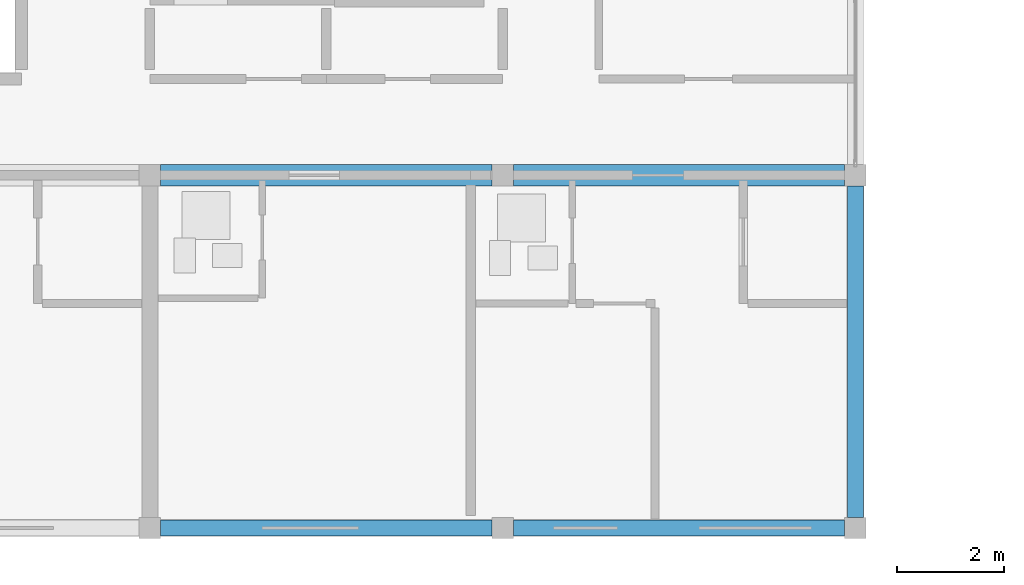
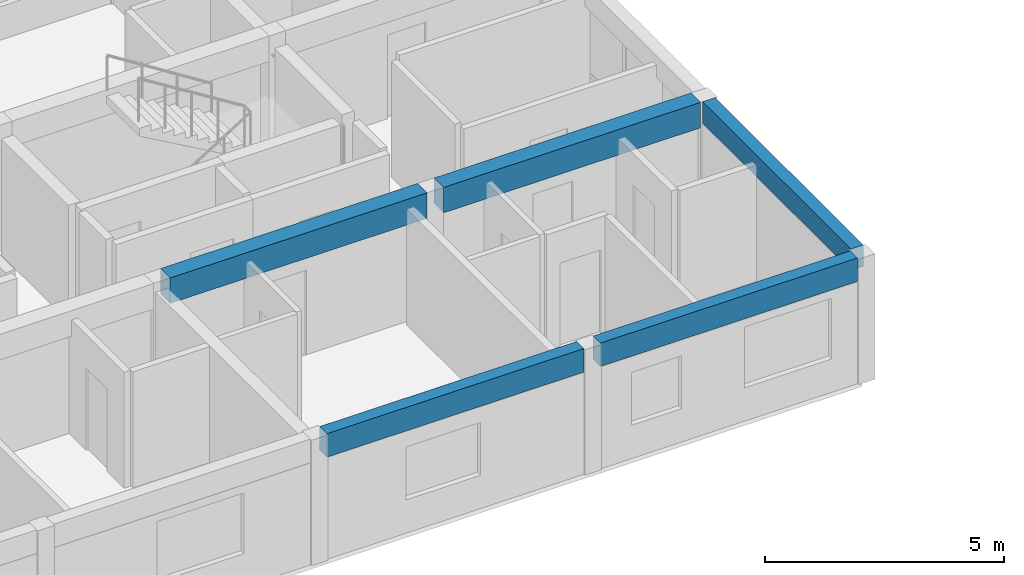
# One storey, part 7 of 45: 5 beams.
"""IFC4 building model written with IfcOpenShell, lengths in metres."""

from ifc_helpers import new_model, si_unit, direction, frame, origin, origin_2d, place, context, subcontext, project, spatial, rectangle, extrude, material, material_profile, profile_set, type_object, element, save


model = new_model("IFC4")

# Units and contexts
model_context = context("Model", 3, precision=1e-05, world=origin(), true_north=direction((0.0, 1.0)))
body_context = subcontext(model_context, "Body", "Model", "MODEL_VIEW")
ifc_project = project(units=[si_unit("LENGTHUNIT", "METRE"), si_unit("AREAUNIT", "SQUARE_METRE"), si_unit("VOLUMEUNIT", "CUBIC_METRE"), si_unit("PLANEANGLEUNIT", "RADIAN"), si_unit("MASSUNIT", "GRAM", prefix="KILO")], contexts=[model_context])

# Site, building, storey
site_placement = place(None, origin())
site = spatial("IfcSite", under=ifc_project, at=site_placement, CompositionType="ELEMENT")
building_placement = place(site_placement, origin())
building = spatial("IfcBuilding", under=site, at=building_placement, Name="Kernevlak Ridge Housing Community", CompositionType="ELEMENT")
storey_placement = place(building_placement, frame((0.0, 0.0, 21.199951171875)))
storey = spatial("IfcBuildingStorey", under=building, at=storey_placement, Name="L06", CompositionType="ELEMENT", Elevation=21.199951171875)

# Beams
ifc_material = material(Name="Concrete C35/45", Category="concrete")
ifc_material_profile_1 = material_profile(ifc_material, rectangle(XDim=0.39990234375, YDim=0.64990234375, at=origin_2d()), Name="RC 400x650")
ifc_profile_set_1 = profile_set([ifc_material_profile_1], Name="Concrete C35/45")
beam_type_1 = type_object("IfcBeamType", Name="B-03", PredefinedType="T_BEAM", material=ifc_profile_set_1)
for number, where, z_axis, x_axis, name in (
    (1, (29.0, 22.199951171875, 2.875), (1.0, 0.0, 0.0), (0.0, 1.0, 0.0), "Beam B-03 L06 1460"),
    (2, (35.60009765625, 22.199951171875, 2.875), (1.0, 0.0, 0.0), (0.0, 1.0, 0.0), "Beam B-03 L06 1461"),
):
    element("IfcBeam", number, at=place(storey_placement, frame(where, z_axis=z_axis, x_axis=x_axis)), inside=storey, type_object=beam_type_1, Name=name, PredefinedType="T_BEAM", context=body_context, shape_type="SweptSolid", body=[
        extrude(rectangle(XDim=0.39990234375, YDim=0.64990234375, at=origin_2d()), origin(), (0.0, 0.0, 1.0), 6.199951171875),
    ])
ifc_material_profile_2 = material_profile(ifc_material, rectangle(XDim=0.300048828125, YDim=0.550048828125, at=origin_2d()), Name="RC 300x550")
ifc_profile_set_2 = profile_set([ifc_material_profile_2], Name="Concrete C35/45")
beam_type_2 = type_object("IfcBeamType", Name="SP-01", PredefinedType="SPANDREL", material=ifc_profile_set_2)
beam_placement = place(storey_placement, frame((42.0, 15.800048828125, 2.925048828125), z_axis=(0.0, 1.0, 0.0), x_axis=(-1.0, 0.0, 0.0)))
element("IfcBeam", 3, at=beam_placement, inside=storey, type_object=beam_type_2, Name="Beam SP-01 L06 1473", PredefinedType="SPANDREL", context=body_context, shape_type="SweptSolid", body=[
    extrude(rectangle(XDim=0.300048828125, YDim=0.550048828125, at=origin_2d()), origin(), (0.0, 0.0, 1.0), 6.199951171875),
])
ifc_material_profile_3 = material_profile(ifc_material, rectangle(XDim=0.300048828125, YDim=0.60009765625, at=origin_2d()), Name="RC 300x600")
ifc_profile_set_3 = profile_set([ifc_material_profile_3], Name="Concrete C35/45")
beam_type_3 = type_object("IfcBeamType", Name="SP-02", PredefinedType="SPANDREL", material=ifc_profile_set_3)
for number, where, z_axis, x_axis, name in (
    (4, (29.0, 15.60009765625, 2.900146484375), (1.0, 0.0, 0.0), (0.0, 1.0, 0.0), "Beam SP-02 L06 1456"),
    (5, (35.60009765625, 15.60009765625, 2.900146484375), (1.0, 0.0, 0.0), (0.0, 1.0, 0.0), "Beam SP-02 L06 1457"),
):
    element("IfcBeam", number, at=place(storey_placement, frame(where, z_axis=z_axis, x_axis=x_axis)), inside=storey, type_object=beam_type_3, Name=name, PredefinedType="SPANDREL", context=body_context, shape_type="SweptSolid", body=[
        extrude(rectangle(XDim=0.300048828125, YDim=0.60009765625, at=origin_2d()), origin(), (0.0, 0.0, 1.0), 6.199951171875),
    ])

save(model, "model.ifc")
